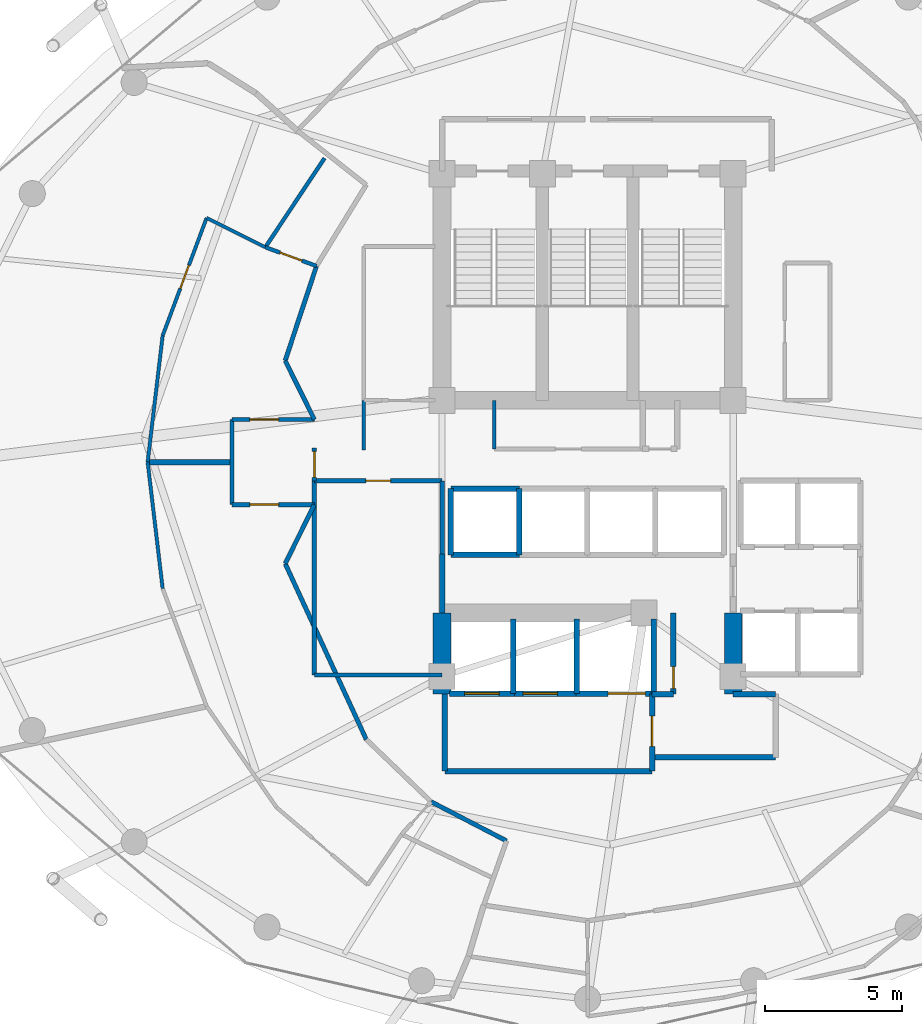
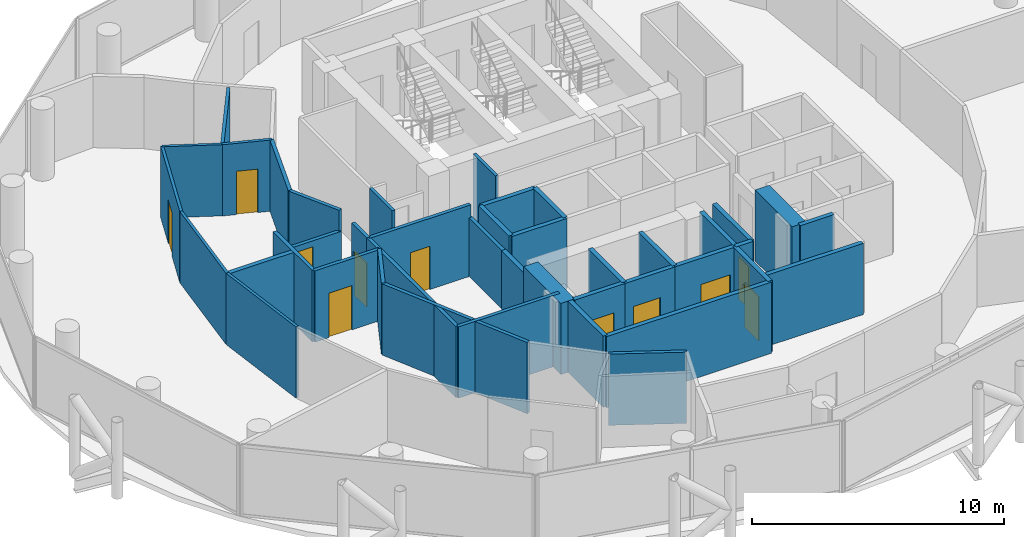
# One storey, part 22 of 26: 42 walls, 11 doors, 11 openings.
"""IFC4 building model written with IfcOpenShell, lengths in metres."""

from ifc_helpers import new_model, si_unit, direction, frame, frame_2d, origin, place, context, subcontext, project, spatial, rectangle, extrude, material, layer, layer_set, type_object, element, fill, save


model = new_model("IFC4")

# Units and contexts
model_context = context("Model", 3, precision=1e-05, world=origin(), true_north=direction((0.0, 1.0)))
body_context = subcontext(model_context, "Body", "Model", "MODEL_VIEW")
ifc_project = project(units=[si_unit("LENGTHUNIT", "METRE"), si_unit("AREAUNIT", "SQUARE_METRE"), si_unit("VOLUMEUNIT", "CUBIC_METRE"), si_unit("PLANEANGLEUNIT", "RADIAN"), si_unit("MASSUNIT", "GRAM", prefix="KILO")], contexts=[model_context])

# Site, building, storey
site_placement = place(None, origin())
site = spatial("IfcSite", under=ifc_project, at=site_placement, CompositionType="ELEMENT")
building_placement = place(site_placement, origin())
building = spatial("IfcBuilding", under=site, at=building_placement, Name="Nuhasar Tower", CompositionType="ELEMENT")
storey_placement = place(building_placement, frame((0.0, 0.0, 184.85009765625)))
storey = spatial("IfcBuildingStorey", under=building, at=storey_placement, Name="L45", CompositionType="ELEMENT", Elevation=184.85009765625)

# Walls
ifc_material_1 = material(Name="Concrete C65/80", Category="concrete")
ifc_layer_1 = layer(ifc_material_1, 0.64990234375)
ifc_layer_set_1 = layer_set([ifc_layer_1], Name="Concrete C65/80")
wall_type_1 = type_object("IfcWallType", Name="WL-CORE-650", PredefinedType="SHEAR", material=ifc_layer_set_1)
for number, where, z_axis, x_axis, name in (
    (1, (33.699951171875, 18.35009765625, 0.0), (0.0, 0.0, 1.0), (0.0, 1.0, 0.0), "L45 Core Shear Wall CW-SW CW-650"),
    (2, (44.300048828125, 18.35009765625, 0.0), (0.0, 0.0, 1.0), (0.0, 1.0, 0.0), "L45 Core Shear Wall CW-SE CW-650"),
):
    element("IfcWall", number, at=place(storey_placement, frame(where, z_axis=z_axis, x_axis=x_axis)), inside=storey, type_object=wall_type_1, Name=name, PredefinedType="SHEAR", context=body_context, shape_type="SweptSolid", body=[
        extrude(rectangle(XDim=2.949951171875, YDim=0.64990234375, at=frame_2d((1.47509765625, 0.0))), origin(), (0.0, 0.0, 1.0), 3.449951171875),
    ])
ifc_material_2 = material(Name="Gypsum Board", Category="gypsum")
ifc_layer_2 = layer(ifc_material_2, 0.159912109375)
ifc_layer_set_2 = layer_set([ifc_layer_2], Name="Gypsum Board")
wall_type_2 = type_object("IfcWallType", Name="WL-CORR-160", PredefinedType="PARTITIONING", material=ifc_layer_set_2)
wall_1_placement = place(storey_placement, frame((29.050048828125, 19.050048828125, 0.0), z_axis=(0.0, 0.0, 1.0), x_axis=(1.0, 0.0, 0.0)))
element("IfcWall", 3, at=wall_1_placement, inside=storey, type_object=wall_type_2, Name="L45 Interior Partition RECL-B1-S", PredefinedType="PARTITIONING", context=body_context, shape_type="SweptSolid", body=[
    extrude(rectangle(XDim=4.64990234375, YDim=0.159912109375, at=frame_2d((2.324951171875, 0.0))), origin(), (0.0, 0.0, 1.0), 3.449951171875),
])
wall_2_placement = place(storey_placement, frame((29.050048828125, 19.050048828125, 0.0), z_axis=(0.0, 0.0, 1.0), x_axis=(0.0, 1.0, 0.0)))
element("IfcWall", 4, at=wall_2_placement, inside=storey, type_object=wall_type_2, Name="L45 Interior Partition RECL-B1-W", PredefinedType="PARTITIONING", context=body_context, shape_type="SweptSolid", body=[
    extrude(rectangle(XDim=7.070068359375, YDim=0.159912109375, at=frame_2d((3.53515625, 0.0))), origin(), (0.0, 0.0, 1.0), 3.449951171875),
])
wall_3_placement = place(storey_placement, frame((33.699951171875, 23.449951171875, 0.0), z_axis=(0.0, 0.0, 1.0), x_axis=(0.0, 1.0, 0.0)))
element("IfcWall", 5, at=wall_3_placement, inside=storey, type_object=wall_type_2, Name="L45 Interior Partition RECL-B1-E", PredefinedType="PARTITIONING", context=body_context, shape_type="SweptSolid", body=[
    extrude(rectangle(XDim=2.670166015625, YDim=0.159912109375, at=frame_2d((1.3349609375, 0.0))), origin(), (0.0, 0.0, 1.0), 2.8349609375),
])

# Wall, opening, door
wall_4_placement = place(storey_placement, frame((33.699951171875, 26.1201171875, 0.0), z_axis=(0.0, 0.0, 1.0), x_axis=(-1.0, 0.0, 0.0)))
wall_4 = element("IfcWall", 6, at=wall_4_placement, inside=storey, type_object=wall_type_2, Name="L45 Interior Partition RECL-B1-N", PredefinedType="PARTITIONING", context=body_context, shape_type="SweptSolid", body=[
    extrude(rectangle(XDim=4.64990234375, YDim=0.159912109375, at=frame_2d((2.324951171875, 0.0))), origin(), (0.0, 0.0, 1.0), 3.449951171875),
])
opening_1_placement = place(wall_4_placement, frame((1.875, 0.0, 0.0)))
opening_1 = element("IfcOpeningElement", 7, at=opening_1_placement, cuts=wall_4, Name="Opening DR-01", PredefinedType="OPENING", context=body_context, shape_type="SweptSolid", body=[
    extrude(rectangle(XDim=0.89990234375, YDim=2.10009765625, at=frame_2d((0.449951171875, 1.050048828125))), frame((0.0, 0.08984375, 0.0), z_axis=(0.0, -1.0, 0.0), x_axis=(1.0, 0.0, 0.0)), (0.0, 0.0, 1.0), 0.179931640625),
])
ifc_material_3 = material(Name="Timber Oak", Category="wood")
door_type_1 = type_object("IfcDoorType", Name="DR-ROOM-900", OperationType="NOTDEFINED", PredefinedType="DOOR", material=ifc_material_3)
door_1_placement = place(opening_1_placement, origin())
door_1 = element("IfcDoor", 8, at=door_1_placement, inside=storey, type_object=door_type_1, Name="L45 Butler Store Door", OperationType="SINGLE_SWING_RIGHT", OverallHeight=2.10009765625, OverallWidth=0.89990234375, PredefinedType="DOOR", context=body_context, shape_type="SweptSolid", body=[
    extrude(rectangle(XDim=0.89990234375, YDim=2.10009765625, at=frame_2d((0.449951171875, 1.050048828125))), frame((0.0, 0.02490234375, 0.0), z_axis=(0.0, -1.0, 0.0), x_axis=(1.0, 0.0, 0.0)), (0.0, 0.0, 1.0), 0.050048828125),
])
fill(opening_1, door_1)

wall_5_placement = place(storey_placement, frame((29.050048828125, 26.1201171875, 0.0), z_axis=(0.0, 0.0, 1.0), x_axis=(0.0, 1.0, 0.0)))
wall_5 = element("IfcWall", 9, at=wall_5_placement, inside=storey, type_object=wall_type_2, Name="L45 Interior Partition WVEST-E", PredefinedType="PARTITIONING", context=body_context, shape_type="SweptSolid", body=[
    extrude(rectangle(XDim=1.199951171875, YDim=0.159912109375, at=frame_2d((0.60009765625, 0.0))), origin(), (0.0, 0.0, 1.0), 3.449951171875),
])
opening_2_placement = place(wall_5_placement, frame((0.125, 0.0, 0.0)))
opening_2 = element("IfcOpeningElement", 10, at=opening_2_placement, cuts=wall_5, Name="Opening DO-01", PredefinedType="OPENING", context=body_context, shape_type="SweptSolid", body=[
    extrude(rectangle(XDim=0.949951171875, YDim=2.14990234375, at=frame_2d((0.47509765625, 1.074951171875))), frame((0.0, 0.08984375, 0.0), z_axis=(0.0, -1.0, 0.0), x_axis=(1.0, 0.0, 0.0)), (0.0, 0.0, 1.0), 0.179931640625),
])
door_type_2 = type_object("IfcDoorType", Name="DR-OFFICE-FD30-950", OperationType="NOTDEFINED", PredefinedType="DOOR", material=ifc_material_3)
door_2_placement = place(opening_2_placement, origin())
door_2 = element("IfcDoor", 11, at=door_2_placement, inside=storey, type_object=door_type_2, Name="L45 West Arrival Foyer Core Door", OperationType="SINGLE_SWING_RIGHT", OverallHeight=2.14990234375, OverallWidth=0.949951171875, PredefinedType="DOOR", context=body_context, shape_type="SweptSolid", body=[
    extrude(rectangle(XDim=0.949951171875, YDim=2.14990234375, at=frame_2d((0.47509765625, 1.074951171875))), frame((0.0, 0.02490234375, 0.0), z_axis=(0.0, -1.0, 0.0), x_axis=(1.0, 0.0, 0.0)), (0.0, 0.0, 1.0), 0.050048828125),
])
fill(opening_2, door_2)

# Walls
wall_6_placement = place(storey_placement, frame((29.126953125, 33.93994140625, 0.0), z_axis=(0.0, 0.0, 1.0), x_axis=(-0.313985571683, -0.949427754374, 0.0)))
element("IfcWall", 12, at=wall_6_placement, inside=storey, type_object=wall_type_2, Name="L45 Interior Partition HWEST-CORE-N-20", PredefinedType="PARTITIONING", context=body_context, shape_type="SweptSolid", body=[
    extrude(rectangle(XDim=3.627197265625, YDim=0.159912109375, at=frame_2d((1.8134765625, 0.0))), origin(), (0.0, 0.0, 1.0), 3.449951171875),
])
wall_7_placement = place(storey_placement, frame((27.988037109375, 23.10400390625, 0.0), z_axis=(0.0, 0.0, 1.0), x_axis=(0.418656179426, -0.908144814128, 0.0)))
element("IfcWall", 13, at=wall_7_placement, inside=storey, type_object=wall_type_2, Name="L45 Interior Partition HWEST-CORE-S1-26", PredefinedType="PARTITIONING", context=body_context, shape_type="SweptSolid", body=[
    extrude(rectangle(XDim=7.048583984375, YDim=0.159912109375, at=frame_2d((3.5244140625, 0.0))), origin(), (0.0, 0.0, 1.0), 3.449951171875),
])
wall_8_placement = place(storey_placement, frame((33.300048828125, 14.43310546875, 0.0), z_axis=(0.0, 0.0, 1.0), x_axis=(0.887674575788, -0.460471331898, 0.0)))
element("IfcWall", 14, at=wall_8_placement, inside=storey, type_object=wall_type_2, Name="L45 Interior Partition HWEST-CORE-S2-32", PredefinedType="PARTITIONING", context=body_context, shape_type="SweptSolid", body=[
    extrude(rectangle(XDim=3.096923828125, YDim=0.159912109375, at=frame_2d((1.54833984375, 0.0))), origin(), (0.0, 0.0, 1.0), 3.449951171875),
])

# Wall, opening, door
wall_9_placement = place(storey_placement, frame((26.050048828125, 28.35009765625, 0.0), z_axis=(0.0, 0.0, 1.0), x_axis=(1.0, 0.0, 0.0)))
wall_9 = element("IfcWall", 15, at=wall_9_placement, inside=storey, type_object=wall_type_2, Name="L45 Interior Partition WVEST-N", PredefinedType="PARTITIONING", context=body_context, shape_type="SweptSolid", body=[
    extrude(rectangle(XDim=3.0, YDim=0.159912109375, at=frame_2d((1.5, 0.0))), origin(), (0.0, 0.0, 1.0), 2.43994140625),
])
opening_3_placement = place(wall_9_placement, frame((0.64990234375, 0.0, 0.0)))
opening_3 = element("IfcOpeningElement", 16, at=opening_3_placement, cuts=wall_9, Name="Opening DU-01", PredefinedType="OPENING", context=body_context, shape_type="SweptSolid", body=[
    extrude(rectangle(XDim=1.050048828125, YDim=2.14990234375, at=frame_2d((0.52490234375, 1.074951171875))), frame((0.0, 0.08984375, 0.0), z_axis=(0.0, -1.0, 0.0), x_axis=(1.0, 0.0, 0.0)), (0.0, 0.0, 1.0), 0.179931640625),
])
door_type_3 = type_object("IfcDoorType", Name="DR-SUITE-FD60-1050", OperationType="NOTDEFINED", PredefinedType="DOOR", material=ifc_material_3)
door_3_placement = place(opening_3_placement, origin())
door_3 = element("IfcDoor", 17, at=door_3_placement, inside=storey, type_object=door_type_3, Name="L45 North-West Sunset Suite Entrance", OperationType="SINGLE_SWING_LEFT", OverallHeight=2.14990234375, OverallWidth=1.050048828125, PredefinedType="DOOR", context=body_context, shape_type="SweptSolid", body=[
    extrude(rectangle(XDim=1.050048828125, YDim=2.14990234375, at=frame_2d((0.52490234375, 1.074951171875))), frame((0.0, 0.02490234375, 0.0), z_axis=(0.0, -1.0, 0.0), x_axis=(1.0, 0.0, 0.0)), (0.0, 0.0, 1.0), 0.050048828125),
])
fill(opening_3, door_3)

wall_10_placement = place(storey_placement, frame((26.050048828125, 25.25, 0.0), z_axis=(0.0, 0.0, 1.0), x_axis=(1.0, 0.0, 0.0)))
wall_10 = element("IfcWall", 18, at=wall_10_placement, inside=storey, type_object=wall_type_2, Name="L45 Interior Partition WVEST-S", PredefinedType="PARTITIONING", context=body_context, shape_type="SweptSolid", body=[
    extrude(rectangle(XDim=3.0, YDim=0.159912109375, at=frame_2d((1.5, 0.0))), origin(), (0.0, 0.0, 1.0), 3.449951171875),
])
opening_4_placement = place(wall_10_placement, frame((0.64990234375, 0.0, 0.0)))
opening_4 = element("IfcOpeningElement", 19, at=opening_4_placement, cuts=wall_10, Name="Opening DU-01", PredefinedType="OPENING", context=body_context, shape_type="SweptSolid", body=[
    extrude(rectangle(XDim=1.050048828125, YDim=2.14990234375, at=frame_2d((0.52490234375, 1.074951171875))), frame((0.0, 0.08984375, 0.0), z_axis=(0.0, -1.0, 0.0), x_axis=(1.0, 0.0, 0.0)), (0.0, 0.0, 1.0), 0.179931640625),
])
door_4_placement = place(opening_4_placement, origin())
door_4 = element("IfcDoor", 20, at=door_4_placement, inside=storey, type_object=door_type_3, Name="L45 South-West Presidential Suite Entrance", OperationType="SINGLE_SWING_LEFT", OverallHeight=2.14990234375, OverallWidth=1.050048828125, PredefinedType="DOOR", context=body_context, shape_type="SweptSolid", body=[
    extrude(rectangle(XDim=1.050048828125, YDim=2.14990234375, at=frame_2d((0.52490234375, 1.074951171875))), frame((0.0, 0.02490234375, 0.0), z_axis=(0.0, -1.0, 0.0), x_axis=(1.0, 0.0, 0.0)), (0.0, 0.0, 1.0), 0.050048828125),
])
fill(opening_4, door_4)

# Walls
wall_11_placement = place(storey_placement, frame((26.050048828125, 25.25, 0.0), z_axis=(0.0, 0.0, 1.0), x_axis=(0.0, 1.0, 0.0)))
element("IfcWall", 21, at=wall_11_placement, inside=storey, type_object=wall_type_2, Name="L45 Interior Partition WVEST-W", PredefinedType="PARTITIONING", context=body_context, shape_type="SweptSolid", body=[
    extrude(rectangle(XDim=3.10009765625, YDim=0.159912109375, at=frame_2d((1.550048828125, 0.0))), origin(), (0.0, 0.0, 1.0), 3.449951171875),
])
for number, where, z_axis, x_axis, name in (
    (22, (27.988037109375, 30.49609375, 0.0), (0.0, 0.0, 1.0), (0.443539160525, -0.896254993337, 0.0), "L45 Interior Partition WVEST-CN"),
    (23, (27.988037109375, 23.10400390625, 0.0), (0.0, 0.0, 1.0), (0.443539160525, 0.896254993337, 0.0), "L45 Interior Partition WVEST-CS"),
):
    element("IfcWall", number, at=place(storey_placement, frame(where, z_axis=z_axis, x_axis=x_axis)), inside=storey, type_object=wall_type_2, Name=name, PredefinedType="PARTITIONING", context=body_context, shape_type="SweptSolid", body=[
        extrude(rectangle(XDim=2.394287109375, YDim=0.159912109375, at=frame_2d((1.197265625, 0.0))), origin(), (0.0, 0.0, 1.0), 3.449951171875),
    ])
ifc_material_4 = material(Name="Concrete C45/55", Category="concrete")
ifc_layer_3 = layer(ifc_material_4, 0.199951171875)
ifc_layer_set_3 = layer_set([ifc_layer_3], Name="Concrete C45/55")
wall_type_3 = type_object("IfcWallType", Name="WL-LOBBY-200", PredefinedType="SOLIDWALL", material=ifc_layer_set_3)
wall_12_placement = place(storey_placement, frame((33.699951171875, 21.300048828125, 0.0), z_axis=(0.0, 0.0, 1.0), x_axis=(0.0, 1.0, 0.0)))
element("IfcWall", 24, at=wall_12_placement, inside=storey, type_object=wall_type_3, Name="L45 Interior Partition LLBH-W", PredefinedType="SOLIDWALL", context=body_context, shape_type="SweptSolid", body=[
    extrude(rectangle(XDim=2.14990234375, YDim=0.199951171875, at=frame_2d((1.074951171875, 0.0))), origin(), (0.0, 0.0, 1.0), 2.8349609375),
])
wall_13_placement = place(storey_placement, frame((33.800048828125, 15.550048828125, 0.0), z_axis=(0.0, 0.0, 1.0), x_axis=(1.0, 0.0, 0.0)))
element("IfcWall", 25, at=wall_13_placement, inside=storey, type_object=wall_type_3, Name="L45 Interior Partition FFL-S", PredefinedType="SOLIDWALL", context=body_context, shape_type="SweptSolid", body=[
    extrude(rectangle(XDim=7.550048828125, YDim=0.199951171875, at=frame_2d((3.77490234375, 0.0))), origin(), (0.0, 0.0, 1.0), 3.449951171875),
])
wall_14_placement = place(storey_placement, frame((33.800048828125, 15.550048828125, 0.0), z_axis=(0.0, 0.0, 1.0), x_axis=(0.0, 1.0, 0.0)))
element("IfcWall", 26, at=wall_14_placement, inside=storey, type_object=wall_type_3, Name="L45 Interior Partition FFL-W", PredefinedType="SOLIDWALL", context=body_context, shape_type="SweptSolid", body=[
    extrude(rectangle(XDim=2.800048828125, YDim=0.199951171875, at=frame_2d((1.39990234375, 0.0))), origin(), (0.0, 0.0, 1.0), 3.449951171875),
])

# Wall, opening, door
wall_15_placement = place(storey_placement, frame((41.35009765625, 15.550048828125, 0.0), z_axis=(0.0, 0.0, 1.0), x_axis=(0.0, 1.0, 0.0)))
wall_15 = element("IfcWall", 27, at=wall_15_placement, inside=storey, type_object=wall_type_3, Name="L45 Interior Partition FFL-E", PredefinedType="SOLIDWALL", context=body_context, shape_type="SweptSolid", body=[
    extrude(rectangle(XDim=2.800048828125, YDim=0.199951171875, at=frame_2d((1.39990234375, 0.0))), origin(), (0.0, 0.0, 1.0), 3.449951171875),
])
opening_5_placement = place(wall_15_placement, frame((0.89990234375, 0.0, 0.0)))
opening_5 = element("IfcOpeningElement", 28, at=opening_5_placement, cuts=wall_15, Name="Opening DS-02", PredefinedType="OPENING", context=body_context, shape_type="SweptSolid", body=[
    extrude(rectangle(XDim=1.10009765625, YDim=2.14990234375, at=frame_2d((0.550048828125, 1.074951171875))), frame((0.0, 0.10986328125, 0.0), z_axis=(0.0, -1.0, 0.0), x_axis=(1.0, 0.0, 0.0)), (0.0, 0.0, 1.0), 0.219970703125),
])
ifc_material_5 = material(Name="Steel S355", Category="steel")
door_type_4 = type_object("IfcDoorType", Name="DR-FFL-FD120-1100", OperationType="NOTDEFINED", PredefinedType="DOOR", material=ifc_material_5)
door_5_placement = place(opening_5_placement, origin())
door_5 = element("IfcDoor", 29, at=door_5_placement, inside=storey, type_object=door_type_4, Name="L45 Firefighting Lobby Door", OperationType="SINGLE_SWING_RIGHT", OverallHeight=2.14990234375, OverallWidth=1.10009765625, PredefinedType="DOOR", context=body_context, shape_type="SweptSolid", body=[
    extrude(rectangle(XDim=1.10009765625, YDim=2.14990234375, at=frame_2d((0.550048828125, 1.074951171875))), frame((0.0, 0.02490234375, 0.0), z_axis=(0.0, -1.0, 0.0), x_axis=(1.0, 0.0, 0.0)), (0.0, 0.0, 1.0), 0.050048828125),
])
fill(opening_5, door_5)

# Walls
wall_16_placement = place(storey_placement, frame((41.35009765625, 16.050048828125, 0.0), z_axis=(0.0, 0.0, 1.0), x_axis=(1.0, 0.0, 0.0)))
element("IfcWall", 30, at=wall_16_placement, inside=storey, type_object=wall_type_3, Name="L45 Interior Partition SVLV-S", PredefinedType="SOLIDWALL", context=body_context, shape_type="SweptSolid", body=[
    extrude(rectangle(XDim=4.5, YDim=0.199951171875, at=frame_2d((2.25, 0.0))), origin(), (0.0, 0.0, 1.0), 3.449951171875),
])
wall_17_placement = place(storey_placement, frame((44.300048828125, 18.35009765625, 0.0), z_axis=(0.0, 0.0, 1.0), x_axis=(1.0, 0.0, 0.0)))
element("IfcWall", 31, at=wall_17_placement, inside=storey, type_object=wall_type_3, Name="L45 Interior Partition SVLV-N", PredefinedType="SOLIDWALL", context=body_context, shape_type="SweptSolid", body=[
    extrude(rectangle(XDim=1.550048828125, YDim=0.199951171875, at=frame_2d((0.77490234375, 0.0))), origin(), (0.0, 0.0, 1.0), 3.449951171875),
])
ifc_layer_4 = layer(ifc_material_2, 0.125)
ifc_layer_set_4 = layer_set([ifc_layer_4], Name="Gypsum Board")
wall_type_4 = type_object("IfcWallType", Name="WL-PART-125", PredefinedType="PARTITIONING", material=ifc_layer_set_4)
wall_18_placement = place(storey_placement, frame((27.264892578125, 34.625, 0.0), z_axis=(0.0, 0.0, 1.0), x_axis=(-0.895182030291, 0.445700720937, 0.0)))
element("IfcWall", 32, at=wall_18_placement, inside=storey, type_object=wall_type_4, Name="L45 Interior Partition HWS1-S", PredefinedType="PARTITIONING", context=body_context, shape_type="SweptSolid", body=[
    extrude(rectangle(XDim=2.389404296875, YDim=0.125, at=frame_2d((1.19482421875, 0.0))), origin(), (0.0, 0.0, 1.0), 3.449951171875),
])

# Wall, opening, door
wall_19_placement = place(storey_placement, frame((25.1259765625, 35.68994140625, 0.0), z_axis=(0.0, 0.0, 1.0), x_axis=(-0.349620571525, -0.936891378958, 0.0)))
wall_19 = element("IfcWall", 33, at=wall_19_placement, inside=storey, type_object=wall_type_4, Name="L45 Interior Partition HWS1-ARC-20", PredefinedType="PARTITIONING", context=body_context, shape_type="SweptSolid", body=[
    extrude(rectangle(XDim=4.57666015625, YDim=0.125, at=frame_2d((2.288330078125, 0.0))), origin(), (0.0, 0.0, 1.0), 3.449951171875),
])
opening_6_placement = place(wall_19_placement, frame((1.837890625, 0.0, 0.0)))
opening_6 = element("IfcOpeningElement", 34, at=opening_6_placement, cuts=wall_19, Name="Opening DR-01", PredefinedType="OPENING", context=body_context, shape_type="SweptSolid", body=[
    extrude(rectangle(XDim=0.89990234375, YDim=2.10009765625, at=frame_2d((0.449951171875, 1.050048828125))), frame((0.0, 0.072509765625, 0.0), z_axis=(0.0, -1.0, 0.0), x_axis=(1.0, 0.0, 0.0)), (0.0, 0.0, 1.0), 0.14501953125),
])
door_6_placement = place(opening_6_placement, origin())
door_6 = element("IfcDoor", 35, at=door_6_placement, inside=storey, type_object=door_type_1, Name="L45 North-West Sunset Suite Bedroom Door", OperationType="SINGLE_SWING_RIGHT", OverallHeight=2.10009765625, OverallWidth=0.89990234375, PredefinedType="DOOR", context=body_context, shape_type="SweptSolid", body=[
    extrude(rectangle(XDim=0.89990234375, YDim=2.10009765625, at=frame_2d((0.449951171875, 1.050048828125))), frame((0.0, 0.02490234375, 0.0), z_axis=(0.0, -1.0, 0.0), x_axis=(1.0, 0.0, 0.0)), (0.0, 0.0, 1.0), 0.050048828125),
])
fill(opening_6, door_6)

# Walls
for number, where, z_axis, x_axis, name in (
    (36, (23.52587890625, 31.402099609375, 0.0), (0.0, 0.0, 1.0), (-0.117794846718, -0.993037951987, 0.0), "L45 Interior Partition HWS1-ARC-22"),
    (37, (22.97998046875, 26.800048828125, 0.0), (0.0, 0.0, 1.0), (0.117794846718, -0.993037951987, 0.0), "L45 Interior Partition HWS2-ARC-24"),
):
    element("IfcWall", number, at=place(storey_placement, frame(where, z_axis=z_axis, x_axis=x_axis)), inside=storey, type_object=wall_type_4, Name=name, PredefinedType="PARTITIONING", context=body_context, shape_type="SweptSolid", body=[
        extrude(rectangle(XDim=4.63427734375, YDim=0.125, at=frame_2d((2.317138671875, 0.0))), origin(), (0.0, 0.0, 1.0), 3.449951171875),
    ])
ifc_layer_5 = layer(ifc_material_4, 0.199951171875)
ifc_layer_set_5 = layer_set([ifc_layer_5], Name="Concrete C45/55")
wall_type_5 = type_object("IfcWallType", Name="WL-SHAFT-200", PredefinedType="SOLIDWALL", material=ifc_layer_set_5)
for number, where, z_axis, x_axis, name in (
    (38, (34.02001953125, 23.419921875, 0.0), (0.0, 0.0, 1.0), (1.0, 0.0, 0.0), "L45 Interior Partition SHF-PL-H01-S"),
    (39, (34.02001953125, 25.830078125, 0.0), (0.0, 0.0, 1.0), (1.0, 0.0, 0.0), "L45 Interior Partition SHF-PL-H01-N"),
):
    element("IfcWall", number, at=place(storey_placement, frame(where, z_axis=z_axis, x_axis=x_axis)), inside=storey, type_object=wall_type_5, Name=name, PredefinedType="SOLIDWALL", context=body_context, shape_type="SweptSolid", body=[
        extrude(rectangle(XDim=2.5, YDim=0.199951171875, at=frame_2d((1.25, 0.0))), origin(), (0.0, 0.0, 1.0), 3.449951171875),
    ])
for number, where, z_axis, x_axis, name in (
    (40, (34.02001953125, 23.419921875, 0.0), (0.0, 0.0, 1.0), (0.0, 1.0, 0.0), "L45 Interior Partition SHF-PL-H01-W"),
    (41, (36.510009765625, 23.419921875, 0.0), (0.0, 0.0, 1.0), (0.0, 1.0, 0.0), "L45 Interior Partition SHF-PL-H01-E"),
):
    element("IfcWall", number, at=place(storey_placement, frame(where, z_axis=z_axis, x_axis=x_axis)), inside=storey, type_object=wall_type_5, Name=name, PredefinedType="SOLIDWALL", context=body_context, shape_type="SweptSolid", body=[
        extrude(rectangle(XDim=2.41015625, YDim=0.199951171875, at=frame_2d((1.205078125, 0.0))), origin(), (0.0, 0.0, 1.0), 3.449951171875),
    ])

# Wall, opening, door
wall_20_placement = place(storey_placement, frame((33.969970703125, 18.3701171875, 0.0), z_axis=(0.0, 0.0, 1.0), x_axis=(1.0, 0.0, 0.0)))
wall_20 = element("IfcWall", 42, at=wall_20_placement, inside=storey, type_object=wall_type_5, Name="L45 Interior Partition SHF-FFL-01-S", PredefinedType="SOLIDWALL", context=body_context, shape_type="SweptSolid", body=[
    extrude(rectangle(XDim=2.360107421875, YDim=0.199951171875, at=frame_2d((1.18017578125, 0.0))), origin(), (0.0, 0.0, 1.0), 3.449951171875),
])
opening_7_placement = place(wall_20_placement, frame((0.554931640625, 0.0, 0.0)))
opening_7 = element("IfcOpeningElement", 43, at=opening_7_placement, cuts=wall_20, Name="Opening LD-F01", PredefinedType="OPENING", context=body_context, shape_type="SweptSolid", body=[
    extrude(rectangle(XDim=1.25, YDim=2.199951171875, at=frame_2d((0.625, 1.10009765625))), frame((0.0, 0.10986328125, 0.0), z_axis=(0.0, -1.0, 0.0), x_axis=(1.0, 0.0, 0.0)), (0.0, 0.0, 1.0), 0.219970703125),
])
ifc_material_6 = material(Name="Stainless Steel 316L", Category="steel")
door_type_5 = type_object("IfcDoorType", Name="LD-FFL-1250", OperationType="DOUBLE_DOOR_SLIDING", PredefinedType="DOOR", material=ifc_material_6)
door_7_placement = place(opening_7_placement, origin())
door_7 = element("IfcDoor", 44, at=door_7_placement, inside=storey, type_object=door_type_5, Name="L45 Lift Landing Door FFL-01", OperationType="DOUBLE_DOOR_SLIDING", OverallHeight=2.199951171875, OverallWidth=1.25, PredefinedType="DOOR", context=body_context, shape_type="SweptSolid", body=[
    extrude(rectangle(XDim=1.25, YDim=2.199951171875, at=frame_2d((0.625, 1.10009765625))), frame((0.0, 0.02490234375, 0.0), z_axis=(0.0, -1.0, 0.0), x_axis=(1.0, 0.0, 0.0)), (0.0, 0.0, 1.0), 0.050048828125),
])
fill(opening_7, door_7)

# Wall
wall_21_placement = place(storey_placement, frame((36.300048828125, 18.3701171875, 0.0), z_axis=(0.0, 0.0, 1.0), x_axis=(0.0, 1.0, 0.0)))
element("IfcWall", 45, at=wall_21_placement, inside=storey, type_object=wall_type_5, Name="L45 Interior Partition SHF-FFL-01-E", PredefinedType="SOLIDWALL", context=body_context, shape_type="SweptSolid", body=[
    extrude(rectangle(XDim=2.7099609375, YDim=0.199951171875, at=frame_2d((1.35498046875, 0.0))), origin(), (0.0, 0.0, 1.0), 3.449951171875),
])

# Wall, opening, door
wall_22_placement = place(storey_placement, frame((36.27001953125, 18.3701171875, 0.0), z_axis=(0.0, 0.0, 1.0), x_axis=(1.0, 0.0, 0.0)))
wall_22 = element("IfcWall", 46, at=wall_22_placement, inside=storey, type_object=wall_type_5, Name="L45 Interior Partition SHF-FFL-02-S", PredefinedType="SOLIDWALL", context=body_context, shape_type="SweptSolid", body=[
    extrude(rectangle(XDim=2.35986328125, YDim=0.199951171875, at=frame_2d((1.179931640625, 0.0))), origin(), (0.0, 0.0, 1.0), 3.449951171875),
])
opening_8_placement = place(wall_22_placement, frame((0.3798828125, 0.0, 0.0)))
opening_8 = element("IfcOpeningElement", 47, at=opening_8_placement, cuts=wall_22, Name="Opening LD-F02", PredefinedType="OPENING", context=body_context, shape_type="SweptSolid", body=[
    extrude(rectangle(XDim=1.25, YDim=2.199951171875, at=frame_2d((0.625, 1.10009765625))), frame((0.0, 0.10986328125, 0.0), z_axis=(0.0, -1.0, 0.0), x_axis=(1.0, 0.0, 0.0)), (0.0, 0.0, 1.0), 0.219970703125),
])
door_8_placement = place(opening_8_placement, origin())
door_8 = element("IfcDoor", 48, at=door_8_placement, inside=storey, type_object=door_type_5, Name="L45 Lift Landing Door FFL-02", OperationType="DOUBLE_DOOR_SLIDING", OverallHeight=2.199951171875, OverallWidth=1.25, PredefinedType="DOOR", context=body_context, shape_type="SweptSolid", body=[
    extrude(rectangle(XDim=1.25, YDim=2.199951171875, at=frame_2d((0.625, 1.10009765625))), frame((0.0, 0.02490234375, 0.0), z_axis=(0.0, -1.0, 0.0), x_axis=(1.0, 0.0, 0.0)), (0.0, 0.0, 1.0), 0.050048828125),
])
fill(opening_8, door_8)

# Wall
wall_23_placement = place(storey_placement, frame((38.60009765625, 18.3701171875, 0.0), z_axis=(0.0, 0.0, 1.0), x_axis=(0.0, 1.0, 0.0)))
element("IfcWall", 49, at=wall_23_placement, inside=storey, type_object=wall_type_5, Name="L45 Interior Partition SHF-FFL-02-E", PredefinedType="SOLIDWALL", context=body_context, shape_type="SweptSolid", body=[
    extrude(rectangle(XDim=2.7099609375, YDim=0.199951171875, at=frame_2d((1.35498046875, 0.0))), origin(), (0.0, 0.0, 1.0), 3.449951171875),
])

# Wall, opening, door
wall_24_placement = place(storey_placement, frame((38.570068359375, 18.3701171875, 0.0), z_axis=(0.0, 0.0, 1.0), x_axis=(1.0, 0.0, 0.0)))
wall_24 = element("IfcWall", 50, at=wall_24_placement, inside=storey, type_object=wall_type_5, Name="L45 Interior Partition SHF-SVL-01-S", PredefinedType="SOLIDWALL", context=body_context, shape_type="SweptSolid", body=[
    extrude(rectangle(XDim=2.829833984375, YDim=0.199951171875, at=frame_2d((1.4150390625, 0.0))), origin(), (0.0, 0.0, 1.0), 3.449951171875),
])
opening_9_placement = place(wall_24_placement, frame((1.179931640625, 0.0, 0.0)))
opening_9 = element("IfcOpeningElement", 51, at=opening_9_placement, cuts=wall_24, Name="Opening LD-S01", PredefinedType="OPENING", context=body_context, shape_type="SweptSolid", body=[
    extrude(rectangle(XDim=1.35009765625, YDim=2.179931640625, at=frame_2d((0.675048828125, 1.08984375))), frame((0.0, 0.10986328125, 0.0), z_axis=(0.0, -1.0, 0.0), x_axis=(1.0, 0.0, 0.0)), (0.0, 0.0, 1.0), 0.219970703125),
])
door_type_6 = type_object("IfcDoorType", Name="LD-SVL-1350", OperationType="DOUBLE_DOOR_SLIDING", PredefinedType="DOOR", material=ifc_material_6)
door_9_placement = place(opening_9_placement, origin())
door_9 = element("IfcDoor", 52, at=door_9_placement, inside=storey, type_object=door_type_6, Name="L45 Lift Landing Door SVL-01", OperationType="DOUBLE_DOOR_SLIDING", OverallHeight=2.179931640625, OverallWidth=1.35009765625, PredefinedType="DOOR", context=body_context, shape_type="SweptSolid", body=[
    extrude(rectangle(XDim=1.35009765625, YDim=2.179931640625, at=frame_2d((0.675048828125, 1.08984375))), frame((0.0, 0.02490234375, 0.0), z_axis=(0.0, -1.0, 0.0), x_axis=(1.0, 0.0, 0.0)), (0.0, 0.0, 1.0), 0.050048828125),
])
fill(opening_9, door_9)

# Wall
wall_25_placement = place(storey_placement, frame((41.39990234375, 18.3701171875, 0.0), z_axis=(0.0, 0.0, 1.0), x_axis=(0.0, 1.0, 0.0)))
element("IfcWall", 53, at=wall_25_placement, inside=storey, type_object=wall_type_5, Name="L45 Interior Partition SHF-SVL-01-E", PredefinedType="SOLIDWALL", context=body_context, shape_type="SweptSolid", body=[
    extrude(rectangle(XDim=2.7099609375, YDim=0.199951171875, at=frame_2d((1.35498046875, 0.0))), origin(), (0.0, 0.0, 1.0), 3.449951171875),
])

# Wall, opening, door
wall_26_placement = place(storey_placement, frame((42.1201171875, 18.35009765625, 0.0), z_axis=(0.0, 0.0, 1.0), x_axis=(0.0, 1.0, 0.0)))
wall_26 = element("IfcWall", 54, at=wall_26_placement, inside=storey, type_object=wall_type_5, Name="L45 Interior Partition RSR-E", PredefinedType="SOLIDWALL", context=body_context, shape_type="SweptSolid", body=[
    extrude(rectangle(XDim=2.949951171875, YDim=0.199951171875, at=frame_2d((1.47509765625, 0.0))), origin(), (0.0, 0.0, 1.0), 3.449951171875),
])
opening_10_placement = place(wall_26_placement, frame((0.199951171875, 0.0, 0.0)))
opening_10 = element("IfcOpeningElement", 55, at=opening_10_placement, cuts=wall_26, Name="Opening DM-01", PredefinedType="OPENING", context=body_context, shape_type="SweptSolid", body=[
    extrude(rectangle(XDim=0.800048828125, YDim=2.050048828125, at=frame_2d((0.39990234375, 1.02490234375))), frame((0.0, 0.10986328125, 0.0), z_axis=(0.0, -1.0, 0.0), x_axis=(1.0, 0.0, 0.0)), (0.0, 0.0, 1.0), 0.219970703125),
])
door_type_7 = type_object("IfcDoorType", Name="DR-RISER-FD60-800", OperationType="NOTDEFINED", PredefinedType="DOOR", material=ifc_material_5)
door_10_placement = place(opening_10_placement, origin())
door_10 = element("IfcDoor", 56, at=door_10_placement, inside=storey, type_object=door_type_7, Name="L45 MEP Riser Access Door", OperationType="SINGLE_SWING_LEFT", OverallHeight=2.050048828125, OverallWidth=0.800048828125, PredefinedType="DOOR", context=body_context, shape_type="SweptSolid", body=[
    extrude(rectangle(XDim=0.800048828125, YDim=2.050048828125, at=frame_2d((0.39990234375, 1.02490234375))), frame((0.0, 0.02490234375, 0.0), z_axis=(0.0, -1.0, 0.0), x_axis=(1.0, 0.0, 0.0)), (0.0, 0.0, 1.0), 0.050048828125),
])
fill(opening_10, door_10)

# Walls
wall_27_placement = place(storey_placement, frame((41.35009765625, 18.35009765625, 0.0), z_axis=(0.0, 0.0, 1.0), x_axis=(1.0, 0.0, 0.0)))
element("IfcWall", 57, at=wall_27_placement, inside=storey, type_object=wall_type_5, Name="L45 Interior Partition RSR-S", PredefinedType="SOLIDWALL", context=body_context, shape_type="SweptSolid", body=[
    extrude(rectangle(XDim=0.77001953125, YDim=0.199951171875, at=frame_2d((0.385009765625, 0.0))), origin(), (0.0, 0.0, 1.0), 3.449951171875),
])
ifc_material_7 = material(Name="Concrete C40/50 precast", Category="concrete")
ifc_layer_6 = layer(ifc_material_7, 0.199951171875)
ifc_layer_set_6 = layer_set([ifc_layer_6], Name="Concrete C40/50 precast")
wall_type_6 = type_object("IfcWallType", Name="WL-UNIT-200", PredefinedType="PARTITIONING", material=ifc_layer_set_6)
wall_28_placement = place(storey_placement, frame((26.050048828125, 26.800048828125, 0.0), z_axis=(0.0, 0.0, 1.0), x_axis=(-1.0, 0.0, 0.0)))
element("IfcWall", 58, at=wall_28_placement, inside=storey, type_object=wall_type_6, Name="L45 Interior Partition HWEST-DIV-IN", PredefinedType="PARTITIONING", context=body_context, shape_type="SweptSolid", body=[
    extrude(rectangle(XDim=3.070068359375, YDim=0.199951171875, at=frame_2d((1.53515625, 0.0))), origin(), (0.0, 0.0, 1.0), 3.449951171875),
])
ifc_layer_7 = layer(ifc_material_7, 0.139892578125)
ifc_layer_set_7 = layer_set([ifc_layer_7], Name="Concrete C40/50 precast")
wall_type_7 = type_object("IfcWallType", Name="WL-WET-140", PredefinedType="PARTITIONING", material=ifc_layer_set_7)
wall_29_placement = place(storey_placement, frame((35.60009765625, 27.280029296875, 0.0), z_axis=(0.0, 0.0, 1.0), x_axis=(0.0, 1.0, 0.0)))
element("IfcWall", 59, at=wall_29_placement, inside=storey, type_object=wall_type_7, Name="L45 Interior Partition CSVC-W", PredefinedType="PARTITIONING", context=body_context, shape_type="SweptSolid", body=[
    extrude(rectangle(XDim=1.77001953125, YDim=0.139892578125, at=frame_2d((0.885009765625, 0.0))), origin(), (0.0, 0.0, 1.0), 3.449951171875),
])
wall_30_placement = place(storey_placement, frame((30.85009765625, 27.239990234375, 0.0), z_axis=(0.0, 0.0, 1.0), x_axis=(0.0, 1.0, 0.0)))
element("IfcWall", 60, at=wall_30_placement, inside=storey, type_object=wall_type_7, Name="L45 Interior Partition K3-FOY-W", PredefinedType="PARTITIONING", context=body_context, shape_type="SweptSolid", body=[
    extrude(rectangle(XDim=1.81005859375, YDim=0.139892578125, at=frame_2d((0.905029296875, 0.0))), origin(), (0.0, 0.0, 1.0), 3.449951171875),
])

# Wall, opening, door
wall_31_placement = place(storey_placement, frame((27.264892578125, 34.625, 0.0), z_axis=(0.0, 0.0, 1.0), x_axis=(0.938500583084, -0.345277649945, 0.0)))
wall_31 = element("IfcWall", 61, at=wall_31_placement, inside=storey, type_object=wall_type_7, Name="L45 Interior Partition HBW1-S", PredefinedType="PARTITIONING", context=body_context, shape_type="SweptSolid", body=[
    extrude(rectangle(XDim=1.984130859375, YDim=0.139892578125, at=frame_2d((0.9921875, 0.0))), origin(), (0.0, 0.0, 1.0), 3.449951171875),
])
opening_11_placement = place(wall_31_placement, frame((0.56689453125, 0.0, 0.0)))
opening_11 = element("IfcOpeningElement", 62, at=opening_11_placement, cuts=wall_31, Name="Opening DB-01", PredefinedType="OPENING", context=body_context, shape_type="SweptSolid", body=[
    extrude(rectangle(XDim=0.85009765625, YDim=2.10009765625, at=frame_2d((0.425048828125, 1.050048828125))), frame((0.0, 0.080078125, 0.0), z_axis=(0.0, -1.0, 0.0), x_axis=(1.0, 0.0, 0.0)), (0.0, 0.0, 1.0), 0.159912109375),
])
door_type_8 = type_object("IfcDoorType", Name="DR-BATH-850", OperationType="NOTDEFINED", PredefinedType="DOOR", material=ifc_material_3)
door_11_placement = place(opening_11_placement, origin())
door_11 = element("IfcDoor", 63, at=door_11_placement, inside=storey, type_object=door_type_8, Name="L45 North-West Sunset Suite En-Suite Door", OperationType="SINGLE_SWING_LEFT", OverallHeight=2.10009765625, OverallWidth=0.85009765625, PredefinedType="DOOR", context=body_context, shape_type="SweptSolid", body=[
    extrude(rectangle(XDim=0.85009765625, YDim=2.10009765625, at=frame_2d((0.425048828125, 1.050048828125))), frame((0.0, 0.02490234375, 0.0), z_axis=(0.0, -1.0, 0.0), x_axis=(1.0, 0.0, 0.0)), (0.0, 0.0, 1.0), 0.050048828125),
])
fill(opening_11, door_11)

# Wall
wall_32_placement = place(storey_placement, frame((29.4189453125, 37.865966796875, 0.0), z_axis=(0.0, 0.0, 1.0), x_axis=(-0.553526949376, -0.832831265212, 0.0)))
element("IfcWall", 64, at=wall_32_placement, inside=storey, type_object=wall_type_7, Name="L45 Interior Partition HBW1-E", PredefinedType="PARTITIONING", context=body_context, shape_type="SweptSolid", body=[
    extrude(rectangle(XDim=3.8916015625, YDim=0.139892578125, at=frame_2d((1.94580078125, 0.0))), origin(), (0.0, 0.0, 1.0), 3.449951171875),
])

save(model, "model.ifc")
